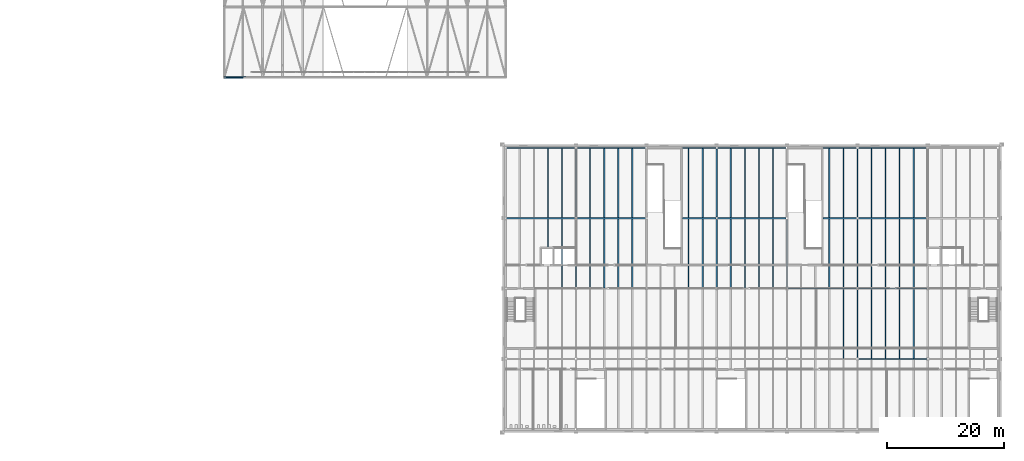
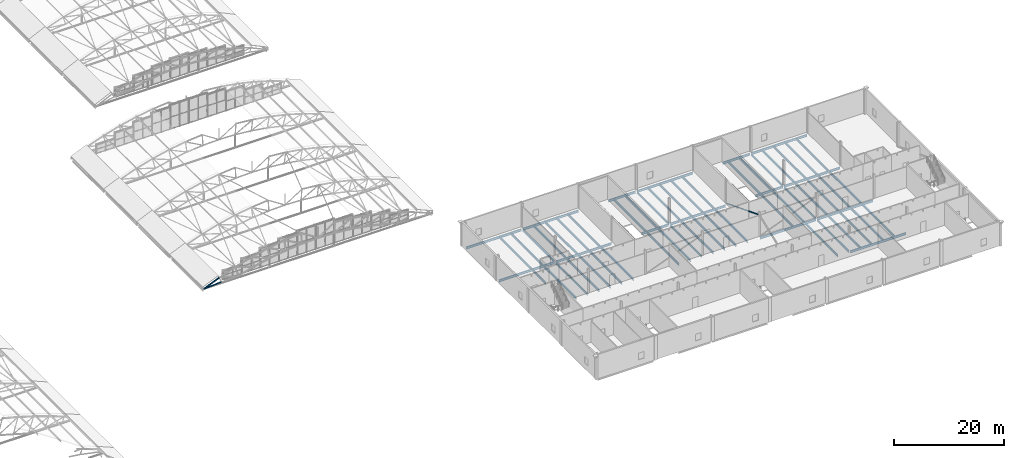
# One storey, part 113 of 321: 63 beams, 3 members.
"""IFC4 building model written with IfcOpenShell, lengths in metres."""

from ifc_helpers import new_model, si_unit, direction, frame, origin, origin_2d, place, context, subcontext, project, spatial, hollow_rectangle, hollow_circle, i_section, extrude, material, material_profile, profile_set, type_object, element, save


model = new_model("IFC4")

# Units and contexts
model_context = context("Model", 3, precision=1e-05, world=origin(), true_north=direction((0.0, 1.0)))
body_context = subcontext(model_context, "Body", "Model", "MODEL_VIEW")
ifc_project = project(units=[si_unit("LENGTHUNIT", "METRE"), si_unit("AREAUNIT", "SQUARE_METRE"), si_unit("VOLUMEUNIT", "CUBIC_METRE"), si_unit("PLANEANGLEUNIT", "RADIAN"), si_unit("MASSUNIT", "GRAM", prefix="KILO")], contexts=[model_context])

# Site, building, storey
site_placement = place(None, origin())
site = spatial("IfcSite", under=ifc_project, at=site_placement, CompositionType="ELEMENT")
building_placement = place(site_placement, origin())
building = spatial("IfcBuilding", under=site, at=building_placement, Name="Ravi Spectrum Wholesale Market", CompositionType="ELEMENT")
storey_placement = place(building_placement, frame((0.0, 0.0, 10.800048828125)))
storey = spatial("IfcBuildingStorey", under=building, at=storey_placement, Name="L02", CompositionType="ELEMENT", Elevation=10.800048828125)

# Members
ifc_material_1 = material(Name="Steel S355", Category="steel")
ifc_material_profile_1 = material_profile(ifc_material_1, hollow_circle(Radius=0.136474609375, WallThickness=0.010009765625, at=origin_2d()))
ifc_profile_set_1 = profile_set([ifc_material_profile_1], Name="Steel S355")
member_type_1 = type_object("IfcMemberType", Name="CHS 273x10 chord", PredefinedType="CHORD", material=ifc_profile_set_1)
member_1_placement = place(storey_placement, frame((150.0, 78.0, 0.0), z_axis=(0.996697692296, 0.0, 0.081201663597), x_axis=(0.0, 1.0, 0.0)))
element("IfcMember", 1, at=member_1_placement, inside=storey, type_object=member_type_1, Name="H2-MB-L02-015", PredefinedType="CHORD", context=body_context, shape_type="SweptSolid", body=[
    extrude(hollow_circle(Radius=0.136474609375, WallThickness=0.010009765625, at=origin_2d()), origin(), (0.0, 0.0, 1.0), 3.7041015625),
])
ifc_material_2 = material(Name="Steel S355", Category="steel")
ifc_material_profile_2 = material_profile(ifc_material_2, hollow_circle(Radius=0.161865234375, WallThickness=0.010009765625, at=origin_2d()))
ifc_profile_set_2 = profile_set([ifc_material_profile_2], Name="Steel S355")
member_type_2 = type_object("IfcMemberType", Name="CHS 323.9x10 chord", PredefinedType="CHORD", material=ifc_profile_set_2)
member_2_placement = place(storey_placement, frame((150.0, 78.0, 0.0), z_axis=(0.916728973025, 0.0, 0.399509687012), x_axis=(0.0, 1.0, 0.0)))
element("IfcMember", 2, at=member_2_placement, inside=storey, type_object=member_type_2, Name="H2-MB-L02-001", PredefinedType="CHORD", context=body_context, shape_type="SweptSolid", body=[
    extrude(hollow_circle(Radius=0.161865234375, WallThickness=0.010009765625, at=origin_2d()), origin(), (0.0, 0.0, 1.0), 3.54248046875),
])

# Beams
ifc_material_3 = material(Name="Steel S355", Category="steel")
ifc_material_profile_3 = material_profile(ifc_material_3, i_section(OverallWidth=0.18994140625, OverallDepth=0.449951171875, WebThickness=0.009521484375, FlangeThickness=0.0146484375, at=origin_2d()))
ifc_profile_set_3 = profile_set([ifc_material_profile_3], Name="Steel S355")
beam_type_1 = type_object("IfcBeamType", Name="IPE 450 girder", PredefinedType="BEAM", material=ifc_profile_set_3)
beam_1_placement = place(storey_placement, frame((210.0, 42.199951171875, -0.47509765625), z_axis=(0.0, 1.0, 0.0), x_axis=(-1.0, 0.0, 0.0)))
element("IfcBeam", 3, at=beam_1_placement, inside=storey, type_object=beam_type_1, Name="CS-BM-L02-042", PredefinedType="BEAM", context=body_context, shape_type="SweptSolid", body=[
    extrude(i_section(OverallWidth=0.18994140625, OverallDepth=0.449951171875, WebThickness=0.009521484375, FlangeThickness=0.0146484375, at=origin_2d()), origin(), (0.0, 0.0, 1.0), 11.60009765625),
])
beam_2_placement = place(storey_placement, frame((210.0, 54.199951171875, -0.47509765625), z_axis=(0.0, 1.0, 0.0), x_axis=(-1.0, 0.0, 0.0)))
element("IfcBeam", 4, at=beam_2_placement, inside=storey, type_object=beam_type_1, Name="CS-BM-L02-044", PredefinedType="BEAM", context=body_context, shape_type="SweptSolid", body=[
    extrude(i_section(OverallWidth=0.18994140625, OverallDepth=0.449951171875, WebThickness=0.009521484375, FlangeThickness=0.0146484375, at=origin_2d()), origin(), (0.0, 0.0, 1.0), 11.630126953125),
])
beam_3_placement = place(storey_placement, frame((234.0, 42.199951171875, -0.47509765625), z_axis=(0.0, 1.0, 0.0), x_axis=(-1.0, 0.0, 0.0)))
element("IfcBeam", 5, at=beam_3_placement, inside=storey, type_object=beam_type_1, Name="CS-BM-L02-050", PredefinedType="BEAM", context=body_context, shape_type="SweptSolid", body=[
    extrude(i_section(OverallWidth=0.18994140625, OverallDepth=0.449951171875, WebThickness=0.009521484375, FlangeThickness=0.0146484375, at=origin_2d()), origin(), (0.0, 0.0, 1.0), 11.60009765625),
])
beam_4_placement = place(storey_placement, frame((234.0, 54.199951171875, -0.47509765625), z_axis=(0.0, 1.0, 0.0), x_axis=(-1.0, 0.0, 0.0)))
element("IfcBeam", 6, at=beam_4_placement, inside=storey, type_object=beam_type_1, Name="CS-BM-L02-051", PredefinedType="BEAM", context=body_context, shape_type="SweptSolid", body=[
    extrude(i_section(OverallWidth=0.18994140625, OverallDepth=0.449951171875, WebThickness=0.009521484375, FlangeThickness=0.0146484375, at=origin_2d()), origin(), (0.0, 0.0, 1.0), 11.630126953125),
])
for number, where, z_axis, x_axis, name in (
    (7, (258.0, 30.199951171875, -0.47509765625), (0.0, 1.0, 0.0), (-1.0, 0.0, 0.0), "CS-BM-L02-056"),
    (8, (258.0, 42.199951171875, -0.47509765625), (0.0, 1.0, 0.0), (-1.0, 0.0, 0.0), "CS-BM-L02-057"),
):
    element("IfcBeam", number, at=place(storey_placement, frame(where, z_axis=z_axis, x_axis=x_axis)), inside=storey, type_object=beam_type_1, Name=name, PredefinedType="BEAM", context=body_context, shape_type="SweptSolid", body=[
        extrude(i_section(OverallWidth=0.18994140625, OverallDepth=0.449951171875, WebThickness=0.009521484375, FlangeThickness=0.0146484375, at=origin_2d()), origin(), (0.0, 0.0, 1.0), 11.60009765625),
    ])
beam_5_placement = place(storey_placement, frame((258.0, 54.199951171875, -0.47509765625), z_axis=(0.0, 1.0, 0.0), x_axis=(-1.0, 0.0, 0.0)))
element("IfcBeam", 9, at=beam_5_placement, inside=storey, type_object=beam_type_1, Name="CS-BM-L02-058", PredefinedType="BEAM", context=body_context, shape_type="SweptSolid", body=[
    extrude(i_section(OverallWidth=0.18994140625, OverallDepth=0.449951171875, WebThickness=0.009521484375, FlangeThickness=0.0146484375, at=origin_2d()), origin(), (0.0, 0.0, 1.0), 11.630126953125),
])
ifc_material_4 = material(Name="Steel S355", Category="steel")
ifc_material_profile_4 = material_profile(ifc_material_4, i_section(OverallWidth=0.199951171875, OverallDepth=0.5, WebThickness=0.01025390625, FlangeThickness=0.01611328125, at=origin_2d()))
ifc_profile_set_4 = profile_set([ifc_material_profile_4], Name="Steel S355")
beam_type_2 = type_object("IfcBeamType", Name="IPE 500 beam", PredefinedType="BEAM", material=ifc_profile_set_4)
for number, where, z_axis, x_axis, name in (
    (10, (258.14990234375, 30.0, -0.5), (1.0, 0.0, 0.0), (0.0, 1.0, 0.0), "CS-BM-L02-013"),
    (11, (246.14990234375, 42.0, -0.5), (1.0, 0.0, 0.0), (0.0, 1.0, 0.0), "CS-BM-L02-019"),
    (12, (258.14990234375, 42.0, -0.5), (1.0, 0.0, 0.0), (0.0, 1.0, 0.0), "CS-BM-L02-020"),
    (13, (198.14990234375, 54.0, -0.5), (1.0, 0.0, 0.0), (0.0, 1.0, 0.0), "CS-BM-L02-022"),
    (14, (210.14990234375, 54.0, -0.5), (1.0, 0.0, 0.0), (0.0, 1.0, 0.0), "CS-BM-L02-023"),
):
    element("IfcBeam", number, at=place(storey_placement, frame(where, z_axis=z_axis, x_axis=x_axis)), inside=storey, type_object=beam_type_2, Name=name, PredefinedType="BEAM", context=body_context, shape_type="SweptSolid", body=[
        extrude(i_section(OverallWidth=0.199951171875, OverallDepth=0.5, WebThickness=0.01025390625, FlangeThickness=0.01611328125, at=origin_2d()), origin(), (0.0, 0.0, 1.0), 11.7001953125),
    ])
beam_6_placement = place(storey_placement, frame((228.125, 54.0, -0.5), z_axis=(1.0, 0.0, 0.0), x_axis=(0.0, 1.0, 0.0)))
element("IfcBeam", 15, at=beam_6_placement, inside=storey, type_object=beam_type_2, Name="CS-BM-L02-024", PredefinedType="BEAM", context=body_context, shape_type="SweptSolid", body=[
    extrude(i_section(OverallWidth=0.199951171875, OverallDepth=0.5, WebThickness=0.01025390625, FlangeThickness=0.01611328125, at=origin_2d()), origin(), (0.0, 0.0, 1.0), 5.72509765625),
])
beam_7_placement = place(storey_placement, frame((234.14990234375, 54.0, -0.5), z_axis=(1.0, 0.0, 0.0), x_axis=(0.0, 1.0, 0.0)))
element("IfcBeam", 16, at=beam_7_placement, inside=storey, type_object=beam_type_2, Name="CS-BM-L02-025", PredefinedType="BEAM", context=body_context, shape_type="SweptSolid", body=[
    extrude(i_section(OverallWidth=0.199951171875, OverallDepth=0.5, WebThickness=0.01025390625, FlangeThickness=0.01611328125, at=origin_2d()), origin(), (0.0, 0.0, 1.0), 11.7001953125),
])
beam_8_placement = place(storey_placement, frame((252.125, 54.0, -0.5), z_axis=(1.0, 0.0, 0.0), x_axis=(0.0, 1.0, 0.0)))
element("IfcBeam", 17, at=beam_8_placement, inside=storey, type_object=beam_type_2, Name="CS-BM-L02-026", PredefinedType="BEAM", context=body_context, shape_type="SweptSolid", body=[
    extrude(i_section(OverallWidth=0.199951171875, OverallDepth=0.5, WebThickness=0.01025390625, FlangeThickness=0.01611328125, at=origin_2d()), origin(), (0.0, 0.0, 1.0), 5.72509765625),
])
for number, where, z_axis, x_axis, name in (
    (18, (258.14990234375, 54.0, -0.5), (1.0, 0.0, 0.0), (0.0, 1.0, 0.0), "CS-BM-L02-027"),
    (19, (198.14990234375, 66.0, -0.5), (1.0, 0.0, 0.0), (0.0, 1.0, 0.0), "CS-BM-L02-029"),
    (20, (210.14990234375, 66.0, -0.5), (1.0, 0.0, 0.0), (0.0, 1.0, 0.0), "CS-BM-L02-030"),
):
    element("IfcBeam", number, at=place(storey_placement, frame(where, z_axis=z_axis, x_axis=x_axis)), inside=storey, type_object=beam_type_2, Name=name, PredefinedType="BEAM", context=body_context, shape_type="SweptSolid", body=[
        extrude(i_section(OverallWidth=0.199951171875, OverallDepth=0.5, WebThickness=0.01025390625, FlangeThickness=0.01611328125, at=origin_2d()), origin(), (0.0, 0.0, 1.0), 11.7001953125),
    ])
beam_9_placement = place(storey_placement, frame((228.125, 66.0, -0.5), z_axis=(1.0, 0.0, 0.0), x_axis=(0.0, 1.0, 0.0)))
element("IfcBeam", 21, at=beam_9_placement, inside=storey, type_object=beam_type_2, Name="CS-BM-L02-031", PredefinedType="BEAM", context=body_context, shape_type="SweptSolid", body=[
    extrude(i_section(OverallWidth=0.199951171875, OverallDepth=0.5, WebThickness=0.01025390625, FlangeThickness=0.01611328125, at=origin_2d()), origin(), (0.0, 0.0, 1.0), 5.72509765625),
])
beam_10_placement = place(storey_placement, frame((234.14990234375, 66.0, -0.5), z_axis=(1.0, 0.0, 0.0), x_axis=(0.0, 1.0, 0.0)))
element("IfcBeam", 22, at=beam_10_placement, inside=storey, type_object=beam_type_2, Name="CS-BM-L02-032", PredefinedType="BEAM", context=body_context, shape_type="SweptSolid", body=[
    extrude(i_section(OverallWidth=0.199951171875, OverallDepth=0.5, WebThickness=0.01025390625, FlangeThickness=0.01611328125, at=origin_2d()), origin(), (0.0, 0.0, 1.0), 11.7001953125),
])
beam_11_placement = place(storey_placement, frame((252.125, 66.0, -0.5), z_axis=(1.0, 0.0, 0.0), x_axis=(0.0, 1.0, 0.0)))
element("IfcBeam", 23, at=beam_11_placement, inside=storey, type_object=beam_type_2, Name="CS-BM-L02-033", PredefinedType="BEAM", context=body_context, shape_type="SweptSolid", body=[
    extrude(i_section(OverallWidth=0.199951171875, OverallDepth=0.5, WebThickness=0.01025390625, FlangeThickness=0.01611328125, at=origin_2d()), origin(), (0.0, 0.0, 1.0), 5.72509765625),
])
beam_12_placement = place(storey_placement, frame((258.14990234375, 66.0, -0.5), z_axis=(1.0, 0.0, 0.0), x_axis=(0.0, 1.0, 0.0)))
element("IfcBeam", 24, at=beam_12_placement, inside=storey, type_object=beam_type_2, Name="CS-BM-L02-034", PredefinedType="BEAM", context=body_context, shape_type="SweptSolid", body=[
    extrude(i_section(OverallWidth=0.199951171875, OverallDepth=0.5, WebThickness=0.01025390625, FlangeThickness=0.01611328125, at=origin_2d()), origin(), (0.0, 0.0, 1.0), 11.7001953125),
])
beam_13_placement = place(storey_placement, frame((205.199951171875, 49.074951171875, -0.5), z_axis=(0.0, 1.0, 0.0), x_axis=(-1.0, 0.0, 0.0)))
element("IfcBeam", 25, at=beam_13_placement, inside=storey, type_object=beam_type_2, Name="CS-BM-L02-079", PredefinedType="BEAM", context=body_context, shape_type="SweptSolid", body=[
    extrude(i_section(OverallWidth=0.199951171875, OverallDepth=0.5, WebThickness=0.01025390625, FlangeThickness=0.01611328125, at=origin_2d()), origin(), (0.0, 0.0, 1.0), 4.824951171875),
])
for number, where, z_axis, x_axis, name in (
    (26, (207.60009765625, 42.10009765625, -0.5), (0.0, 1.0, 0.0), (-1.0, 0.0, 0.0), "CS-BM-L02-080"),
    (27, (205.199951171875, 54.10009765625, -0.5), (0.0, 1.0, 0.0), (-1.0, 0.0, 0.0), "CS-BM-L02-084"),
    (28, (207.60009765625, 54.10009765625, -0.5), (0.0, 1.0, 0.0), (-1.0, 0.0, 0.0), "CS-BM-L02-085"),
    (29, (212.39990234375, 42.10009765625, -0.5), (0.0, 1.0, 0.0), (-1.0, 0.0, 0.0), "CS-BM-L02-094"),
    (30, (214.800048828125, 42.10009765625, -0.5), (0.0, 1.0, 0.0), (-1.0, 0.0, 0.0), "CS-BM-L02-095"),
    (31, (217.199951171875, 42.10009765625, -0.5), (0.0, 1.0, 0.0), (-1.0, 0.0, 0.0), "CS-BM-L02-096"),
    (32, (219.60009765625, 42.10009765625, -0.5), (0.0, 1.0, 0.0), (-1.0, 0.0, 0.0), "CS-BM-L02-097"),
    (33, (212.39990234375, 54.10009765625, -0.5), (0.0, 1.0, 0.0), (-1.0, 0.0, 0.0), "CS-BM-L02-098"),
    (34, (214.800048828125, 54.10009765625, -0.5), (0.0, 1.0, 0.0), (-1.0, 0.0, 0.0), "CS-BM-L02-099"),
    (35, (217.199951171875, 54.10009765625, -0.5), (0.0, 1.0, 0.0), (-1.0, 0.0, 0.0), "CS-BM-L02-100"),
    (36, (219.60009765625, 54.10009765625, -0.5), (0.0, 1.0, 0.0), (-1.0, 0.0, 0.0), "CS-BM-L02-101"),
    (37, (229.199951171875, 42.10009765625, -0.5), (0.0, 1.0, 0.0), (-1.0, 0.0, 0.0), "CS-BM-L02-112"),
    (38, (231.60009765625, 42.10009765625, -0.5), (0.0, 1.0, 0.0), (-1.0, 0.0, 0.0), "CS-BM-L02-113"),
    (39, (229.199951171875, 54.10009765625, -0.5), (0.0, 1.0, 0.0), (-1.0, 0.0, 0.0), "CS-BM-L02-114"),
    (40, (231.60009765625, 54.10009765625, -0.5), (0.0, 1.0, 0.0), (-1.0, 0.0, 0.0), "CS-BM-L02-115"),
    (41, (236.39990234375, 42.10009765625, -0.5), (0.0, 1.0, 0.0), (-1.0, 0.0, 0.0), "CS-BM-L02-124"),
    (42, (238.800048828125, 42.10009765625, -0.5), (0.0, 1.0, 0.0), (-1.0, 0.0, 0.0), "CS-BM-L02-125"),
    (43, (241.199951171875, 42.10009765625, -0.5), (0.0, 1.0, 0.0), (-1.0, 0.0, 0.0), "CS-BM-L02-126"),
    (44, (243.60009765625, 42.10009765625, -0.5), (0.0, 1.0, 0.0), (-1.0, 0.0, 0.0), "CS-BM-L02-127"),
    (45, (236.39990234375, 54.10009765625, -0.5), (0.0, 1.0, 0.0), (-1.0, 0.0, 0.0), "CS-BM-L02-128"),
    (46, (238.800048828125, 54.10009765625, -0.5), (0.0, 1.0, 0.0), (-1.0, 0.0, 0.0), "CS-BM-L02-129"),
    (47, (241.199951171875, 54.10009765625, -0.5), (0.0, 1.0, 0.0), (-1.0, 0.0, 0.0), "CS-BM-L02-130"),
    (48, (243.60009765625, 54.10009765625, -0.5), (0.0, 1.0, 0.0), (-1.0, 0.0, 0.0), "CS-BM-L02-131"),
    (49, (255.60009765625, 30.10009765625, -0.5), (0.0, 1.0, 0.0), (-1.0, 0.0, 0.0), "CS-BM-L02-139"),
    (50, (253.199951171875, 42.10009765625, -0.5), (0.0, 1.0, 0.0), (-1.0, 0.0, 0.0), "CS-BM-L02-142"),
    (51, (255.60009765625, 42.10009765625, -0.5), (0.0, 1.0, 0.0), (-1.0, 0.0, 0.0), "CS-BM-L02-143"),
    (52, (253.199951171875, 54.10009765625, -0.5), (0.0, 1.0, 0.0), (-1.0, 0.0, 0.0), "CS-BM-L02-144"),
    (53, (255.60009765625, 54.10009765625, -0.5), (0.0, 1.0, 0.0), (-1.0, 0.0, 0.0), "CS-BM-L02-145"),
    (54, (260.39990234375, 30.10009765625, -0.5), (0.0, 1.0, 0.0), (-1.0, 0.0, 0.0), "CS-BM-L02-150"),
    (55, (262.800048828125, 30.10009765625, -0.5), (0.0, 1.0, 0.0), (-1.0, 0.0, 0.0), "CS-BM-L02-151"),
    (56, (265.199951171875, 30.10009765625, -0.5), (0.0, 1.0, 0.0), (-1.0, 0.0, 0.0), "CS-BM-L02-152"),
    (57, (267.60009765625, 30.10009765625, -0.5), (0.0, 1.0, 0.0), (-1.0, 0.0, 0.0), "CS-BM-L02-153"),
    (58, (260.39990234375, 42.10009765625, -0.5), (0.0, 1.0, 0.0), (-1.0, 0.0, 0.0), "CS-BM-L02-154"),
    (59, (262.800048828125, 42.10009765625, -0.5), (0.0, 1.0, 0.0), (-1.0, 0.0, 0.0), "CS-BM-L02-155"),
    (60, (265.199951171875, 42.10009765625, -0.5), (0.0, 1.0, 0.0), (-1.0, 0.0, 0.0), "CS-BM-L02-156"),
    (61, (267.60009765625, 42.10009765625, -0.5), (0.0, 1.0, 0.0), (-1.0, 0.0, 0.0), "CS-BM-L02-157"),
    (62, (260.39990234375, 54.10009765625, -0.5), (0.0, 1.0, 0.0), (-1.0, 0.0, 0.0), "CS-BM-L02-158"),
    (63, (262.800048828125, 54.10009765625, -0.5), (0.0, 1.0, 0.0), (-1.0, 0.0, 0.0), "CS-BM-L02-159"),
    (64, (265.199951171875, 54.10009765625, -0.5), (0.0, 1.0, 0.0), (-1.0, 0.0, 0.0), "CS-BM-L02-160"),
    (65, (267.60009765625, 54.10009765625, -0.5), (0.0, 1.0, 0.0), (-1.0, 0.0, 0.0), "CS-BM-L02-161"),
):
    element("IfcBeam", number, at=place(storey_placement, frame(where, z_axis=z_axis, x_axis=x_axis)), inside=storey, type_object=beam_type_2, Name=name, PredefinedType="BEAM", context=body_context, shape_type="SweptSolid", body=[
        extrude(i_section(OverallWidth=0.199951171875, OverallDepth=0.5, WebThickness=0.01025390625, FlangeThickness=0.01611328125, at=origin_2d()), origin(), (0.0, 0.0, 1.0), 11.7998046875),
    ])

# Member
ifc_material_5 = material(Name="Steel S355", Category="steel")
ifc_material_profile_5 = material_profile(ifc_material_5, hollow_rectangle(XDim=0.199951171875, YDim=0.199951171875, WallThickness=0.008056640625, InnerFilletRadius=0.008056640625, OuterFilletRadius=0.01611328125, at=origin_2d()))
ifc_profile_set_5 = profile_set([ifc_material_profile_5], Name="Steel S355")
member_type_3 = type_object("IfcMemberType", Name="SHS 200x200x8 brace", PredefinedType="BRACE", material=ifc_profile_set_5)
member_3_placement = place(storey_placement, frame((246.0, 42.236572265625, 4.60693359375), z_axis=(0.0, 0.931149344946, -0.364638036148), x_axis=(-1.0, 0.0, 0.0)))
element("IfcMember", 66, at=member_3_placement, inside=storey, type_object=member_type_3, Name="CS-MB-L02-010", PredefinedType="BRACE", context=body_context, shape_type="SweptSolid", body=[
    extrude(hollow_rectangle(XDim=0.199951171875, YDim=0.199951171875, WallThickness=0.008056640625, InnerFilletRadius=0.008056640625, OuterFilletRadius=0.01611328125, at=origin_2d()), origin(), (0.0, 0.0, 1.0), 12.379150390625),
])

save(model, "model.ifc")
